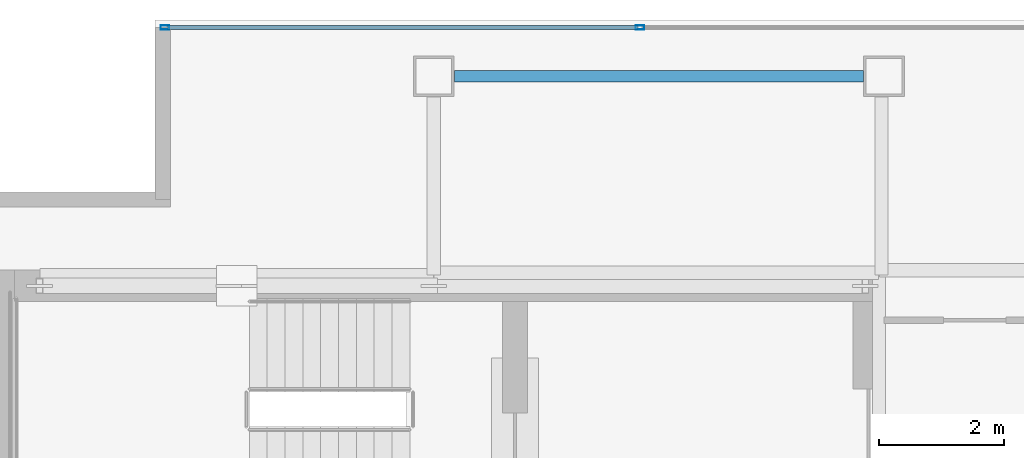
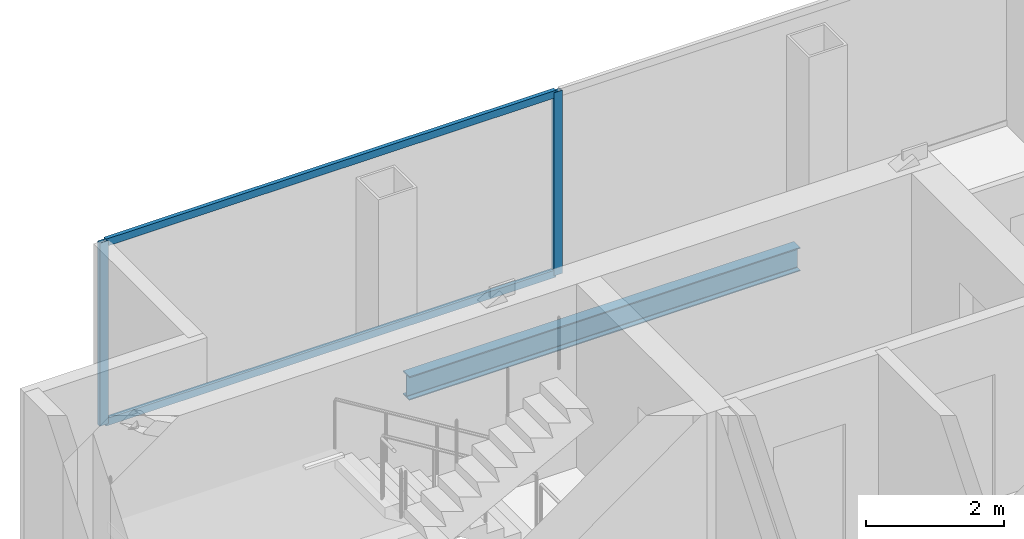
# One storey, part 18 of 24: 4 members, 1 beam, 1 element without a shape of its own.
"""IFC4 building model written with IfcOpenShell, lengths in metres."""

from ifc_helpers import new_model, si_unit, direction, frame, origin, origin_2d, place, context, subcontext, project, spatial, hollow_rectangle, i_section, extrude, material, material_profile, profile_set, type_object, element, aggregate, save


model = new_model("IFC4")

# Units and contexts
model_context = context("Model", 3, precision=1e-05, world=origin(), true_north=direction((0.0, 1.0)))
body_context = subcontext(model_context, "Body", "Model", "MODEL_VIEW")
ifc_project = project(units=[si_unit("LENGTHUNIT", "METRE"), si_unit("AREAUNIT", "SQUARE_METRE"), si_unit("VOLUMEUNIT", "CUBIC_METRE"), si_unit("PLANEANGLEUNIT", "RADIAN"), si_unit("MASSUNIT", "GRAM", prefix="KILO")], contexts=[model_context])

# Site, building, storey
site_placement = place(None, origin())
site = spatial("IfcSite", under=ifc_project, at=site_placement, CompositionType="ELEMENT")
building_placement = place(site_placement, origin())
building = spatial("IfcBuilding", under=site, at=building_placement, Name="Cobrela Telecom Tower", CompositionType="ELEMENT")
storey_placement = place(building_placement, frame((0.0, 0.0, 244.64990234375)))
storey = spatial("IfcBuildingStorey", under=building, at=storey_placement, Name="L63", CompositionType="ELEMENT", Elevation=244.64990234375)

# Beam
ifc_material_1 = material(Name="Steel ASTM A992 Grade 50", Category="steel")
ifc_material_profile_1 = material_profile(ifc_material_1, i_section(OverallWidth=0.179931640625, OverallDepth=0.4169921875, WebThickness=0.010986328125, FlangeThickness=0.01806640625, FilletRadius=0.011962890625, at=origin_2d()), Name="W16X57")
ifc_profile_set_1 = profile_set([ifc_material_profile_1], Name="Steel ASTM A992 Grade 50")
beam_type = type_object("IfcBeamType", Name="BM-SPAND-06", PredefinedType="SPANDREL", material=ifc_profile_set_1)
beam_placement = place(storey_placement, frame((7.530029296875, 39.10009765625, -0.468505859375), z_axis=(1.0, 0.0, 0.0), x_axis=(0.0, 1.0, 0.0)))
element("IfcBeam", 1, at=beam_placement, inside=storey, type_object=beam_type, Name="L63 Perimeter Spandrel X19", PredefinedType="SPANDREL", context=body_context, shape_type="SweptSolid", body=[
    extrude(i_section(OverallWidth=0.179931640625, OverallDepth=0.4169921875, WebThickness=0.010986328125, FlangeThickness=0.01806640625, FilletRadius=0.011962890625, at=origin_2d()), origin(), (0.0, 0.0, 1.0), 6.5400390625),
])

# Curtain wall, members
ifc_material_2 = material(Name="Anodized Bronze Aluminium 6063-T6", Category="aluminium")
curtain_wall_type = type_object("IfcCurtainWallType", Name="CW-SYS-OFF-HI", PredefinedType="USERDEFINED", material=ifc_material_2)
curtain_wall_placement = place(storey_placement, origin())
curtain_wall = element("IfcCurtainWall", 2, at=curtain_wall_placement, inside=storey, type_object=curtain_wall_type, Name="L63 Unitised Bronze Curtain Wall 05", ObjectType="UNITISED CURTAIN WALL", PredefinedType="USERDEFINED")
ifc_material_profile_2 = material_profile(ifc_material_2, hollow_rectangle(XDim=0.070068359375, YDim=0.139892578125, WallThickness=0.00390625, at=origin_2d()), Name="ALU 70x140x4")
ifc_profile_set_2 = profile_set([ifc_material_profile_2], Name="Anodized Bronze Aluminium 6063-T6")
member_type_1 = type_object("IfcMemberType", Name="CW-SYS-OFF-HI-MUL", PredefinedType="MULLION", material=ifc_profile_set_2)
member_1_placement = place(storey_placement, frame((2.905029296875, 39.8798828125, 0.0), z_axis=(0.0, 0.0, 1.0), x_axis=(0.0, 1.0, 0.0)))
member_1 = element("IfcMember", 3, at=member_1_placement, type_object=member_type_1, Name="CW-OFF-HI mullion 1", PredefinedType="MULLION", context=body_context, shape_type="SweptSolid", body=[
    extrude(hollow_rectangle(XDim=0.070068359375, YDim=0.139892578125, WallThickness=0.00390625, at=origin_2d()), origin(), (0.0, 0.0, 1.0), 3.239990234375),
])
member_2_placement = place(storey_placement, frame((10.5, 39.8798828125, 0.0), z_axis=(0.0, 0.0, 1.0), x_axis=(0.0, 1.0, 0.0)))
member_2 = element("IfcMember", 4, at=member_2_placement, type_object=member_type_1, Name="CW-OFF-HI mullion 2", PredefinedType="MULLION", context=body_context, shape_type="SweptSolid", body=[
    extrude(hollow_rectangle(XDim=0.070068359375, YDim=0.139892578125, WallThickness=0.00390625, at=origin_2d()), origin(), (0.0, 0.0, 1.0), 3.239990234375),
])
ifc_material_profile_3 = material_profile(ifc_material_2, hollow_rectangle(XDim=0.06494140625, YDim=0.1298828125, WallThickness=0.00390625, at=origin_2d()), Name="ALU 65x130x4")
ifc_profile_set_3 = profile_set([ifc_material_profile_3], Name="Anodized Bronze Aluminium 6063-T6")
member_type_2 = type_object("IfcMemberType", Name="CW-SYS-OFF-HI-TRN", PredefinedType="USERDEFINED", material=ifc_profile_set_3)
member_3_placement = place(storey_placement, frame((2.93994140625, 39.8798828125, 0.03271484375), z_axis=(1.0, 0.0, 0.0), x_axis=(0.0, 1.0, 0.0)))
member_3 = element("IfcMember", 5, at=member_3_placement, type_object=member_type_2, Name="CW-OFF-HI transom 1.1", ObjectType="TRANSOM", PredefinedType="USERDEFINED", context=body_context, shape_type="SweptSolid", body=[
    extrude(hollow_rectangle(XDim=0.06494140625, YDim=0.1298828125, WallThickness=0.00390625, at=origin_2d()), origin(), (0.0, 0.0, 1.0), 7.525146484375),
])
member_4_placement = place(storey_placement, frame((2.93994140625, 39.8798828125, 3.20751953125), z_axis=(1.0, 0.0, 0.0), x_axis=(0.0, 1.0, 0.0)))
member_4 = element("IfcMember", 6, at=member_4_placement, type_object=member_type_2, Name="CW-OFF-HI transom 1.2", ObjectType="TRANSOM", PredefinedType="USERDEFINED", context=body_context, shape_type="SweptSolid", body=[
    extrude(hollow_rectangle(XDim=0.06494140625, YDim=0.1298828125, WallThickness=0.00390625, at=origin_2d()), origin(), (0.0, 0.0, 1.0), 7.525146484375),
])
aggregate(curtain_wall, [member_1, member_2, member_3, member_4])

save(model, "model.ifc")
